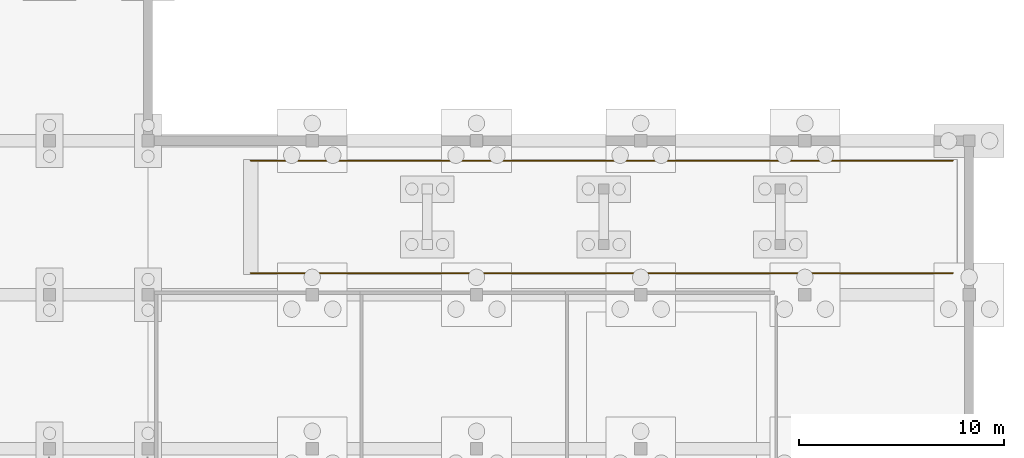
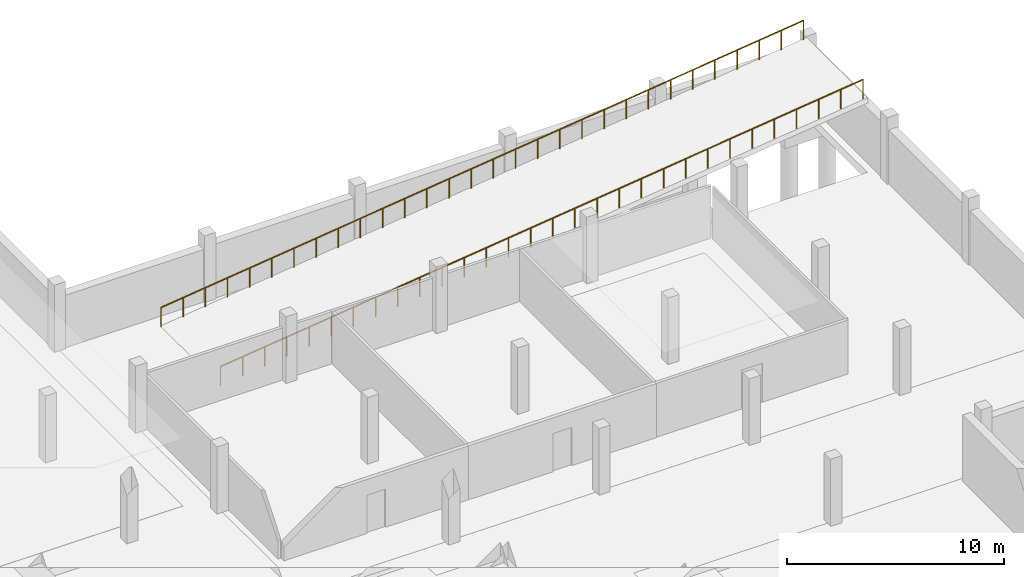
# One storey, part 16 of 17: 2 railings.
"""IFC4 building model written with IfcOpenShell, lengths in metres."""

import ifcopenshell
import ifcopenshell.guid

model = None  # the IFC model being written
_history = None  # IfcOwnerHistory: only IFC2X3 demands one
_inside = {}  # id of a spatial element -> (the spatial element, [elements in it])
_under = {}  # id of a project, library or spatial element -> (it, [spatial elements below it])
_declared = {}  # id of a project -> (the project, [libraries it declares])
_typed = {}  # id of a type object -> (the type object, [elements of that type])
_made_of = {}  # id of a material, layer set ... -> (it, [elements and type objects made of it])


def new_model(schema):
    """Start an empty IFC model of exactly this schema.

    Asked for "IFC4X3", IfcOpenShell would pick the latest addendum, in which some entities
    have other attributes; the version numbers below select the first issue.
    IFC2X3 requires an IfcOwnerHistory on every rooted entity: one is made here for all.
    """
    global model, _history
    if schema == "IFC4X3":
        model = ifcopenshell.file(schema_version=(4, 3, 0, 0))
    else:
        model = ifcopenshell.file(schema=schema)
    _inside.clear()
    _under.clear()
    _declared.clear()
    _typed.clear()
    _made_of.clear()
    _history = None
    if model.schema == "IFC2X3":
        org = make("IfcOrganization", Name="unknown")
        user = make(
            "IfcPersonAndOrganization",
            ThePerson=make("IfcPerson", FamilyName="unknown"),
            TheOrganization=org,
        )
        app = make(
            "IfcApplication",
            ApplicationDeveloper=org,
            Version="unknown",
            ApplicationFullName="unknown",
            ApplicationIdentifier="unknown",
        )
        _history = make(
            "IfcOwnerHistory",
            OwningUser=user,
            OwningApplication=app,
            ChangeAction="ADDED",
            CreationDate=0,
        )
    return model


def make(cls, **values):
    """One entity of the class cls with the attributes given. An attribute that is None is left unset."""
    return model.create_entity(
        cls, **{name: value for name, value in values.items() if value is not None}
    )


def rooted(cls, **values):
    """An entity with a GlobalId (a new one), such as an element, a storey or a relation."""
    return make(cls, GlobalId=ifcopenshell.guid.new(), OwnerHistory=_history, **values)


def si_unit(unit_type, name, prefix=None):
    """IfcSIUnit, for example si_unit("LENGTHUNIT", "METRE", prefix="MILLI")."""
    return make("IfcSIUnit", UnitType=unit_type, Prefix=prefix, Name=name)


def assignment(units):
    """IfcUnitAssignment: the units of a project."""
    return None if units is None else make("IfcUnitAssignment", Units=units)


def point(xyz):
    """IfcCartesianPoint."""
    return None if xyz is None else make("IfcCartesianPoint", Coordinates=xyz)


def direction(xyz):
    """IfcDirection."""
    return None if xyz is None else make("IfcDirection", DirectionRatios=xyz)


def frame(location, z_axis=None, x_axis=None):
    """IfcAxis2Placement3D, a coordinate frame: its origin and axes. An axis left out is left unset."""
    return make(
        "IfcAxis2Placement3D",
        Location=point(location),
        Axis=direction(z_axis),
        RefDirection=direction(x_axis),
    )


def frame_2d(location, x_axis=None):
    """IfcAxis2Placement2D, a coordinate frame in the plane: its origin and x axis."""
    return make(
        "IfcAxis2Placement2D", Location=point(location), RefDirection=direction(x_axis)
    )


def origin():
    """The frame at (0, 0, 0) with its axes left unset."""
    return frame((0.0, 0.0, 0.0))


def origin_2d():
    """The frame at (0, 0) in the plane with its x axis left unset."""
    return frame_2d((0.0, 0.0))


def place(relative_to, where):
    """IfcLocalPlacement: puts the frame where relative to a parent placement (None: the world)."""
    return make(
        "IfcLocalPlacement", PlacementRelTo=relative_to, RelativePlacement=where
    )


def context(
    kind, dimensions, precision=None, world=None, true_north=None, identifier=None
):
    """IfcGeometricRepresentationContext, for example the 3D "Model" context."""
    return make(
        "IfcGeometricRepresentationContext",
        ContextIdentifier=identifier,
        ContextType=kind,
        CoordinateSpaceDimension=dimensions,
        Precision=precision,
        WorldCoordinateSystem=world,
        TrueNorth=true_north,
    )


def subcontext(parent, identifier, kind, view, scale=None):
    """IfcGeometricRepresentationSubContext, for example "Body" below "Model"."""
    return make(
        "IfcGeometricRepresentationSubContext",
        ContextIdentifier=identifier,
        ContextType=kind,
        ParentContext=parent,
        TargetScale=scale,
        TargetView=view,
    )


def project(units=None, contexts=None):
    """IfcProject with its units and contexts."""
    return rooted(
        "IfcProject",
        Name="project",
        RepresentationContexts=contexts,
        UnitsInContext=assignment(units),
    )


def spatial(cls, under=None, at=None, **own):
    """A site, building, storey or space (cls), placed at a placement, below another one or the project."""
    s = rooted(cls, ObjectPlacement=at, **own)
    if under is not None:
        _under.setdefault(under.id(), (under, []))[1].append(s)
    return s


def profile(cls, at=None, kind="AREA", **sizes):
    """A parametric profile (cls). Its sizes go by their IFC names, for example OverallWidth=200.0."""
    return make(cls, ProfileType=kind, Position=at, **sizes)


def circle(**sizes):
    """IfcCircleProfileDef."""
    return profile("IfcCircleProfileDef", **sizes)


def extrude(swept, where, along, depth):
    """IfcExtrudedAreaSolid: the profile swept, set in the frame where, extruded along a direction by depth."""
    return make(
        "IfcExtrudedAreaSolid",
        SweptArea=swept,
        Position=where,
        ExtrudedDirection=direction(along),
        Depth=depth,
    )


def shape(context_of_items, identifier, shape_type, items):
    """IfcShapeRepresentation: the items that make up one representation, for example the "Body"."""
    return make(
        "IfcShapeRepresentation",
        ContextOfItems=context_of_items,
        RepresentationIdentifier=identifier,
        RepresentationType=shape_type,
        Items=items,
    )


def material(Name=None, Category=None):
    """IfcMaterial."""
    return make("IfcMaterial", Name=Name, Category=Category)


def made_of(thing, what):
    """Note that an element or type object is made of a material, layer set ...; save() writes the relation."""
    if what is not None:
        _made_of.setdefault(what.id(), (what, []))[1].append(thing)
    return thing


def type_object(cls, material=None, **own):
    """A type object (cls), such as IfcWallType, which elements share."""
    return made_of(rooted(cls, **own), material)


def element(
    cls,
    number,
    at=None,
    inside=None,
    cuts=None,
    type_object=None,
    material=None,
    context=None,
    identifier="Body",
    shape_type=None,
    held_by="IfcProductDefinitionShape",
    body=None,
    shapes=None,
    **own,
):
    """One element of the class cls, such as IfcWall. Its Tag is "e" and its number.

    at: its placement. inside: the storey or other place that contains it. cuts: it is an
    opening in that element (IfcRelVoidsElement). A single representation is given by context,
    identifier, shape_type and body (its items); several are given by shapes. held_by: the class
    of the entity that holds the representations. save() writes the other relations.
    """
    e = rooted(cls, Tag="e%d" % number, ObjectPlacement=at, **own)
    if body is not None:
        shapes = [shape(context, identifier, shape_type, body)]
    if shapes is not None:
        e.Representation = make(held_by, Representations=shapes)
    if inside is not None:
        _inside.setdefault(inside.id(), (inside, []))[1].append(e)
    if cuts is not None:
        rooted(
            "IfcRelVoidsElement", RelatingBuildingElement=cuts, RelatedOpeningElement=e
        )
    if type_object is not None:
        _typed.setdefault(type_object.id(), (type_object, []))[1].append(e)
    return made_of(e, material)


def aggregate(whole, parts):
    """IfcRelAggregates: a whole, such as a stair, and the parts it consists of."""
    return rooted("IfcRelAggregates", RelatingObject=whole, RelatedObjects=parts)


def save(model, path):
    """Write the relations noted so far, then the file.

    IfcRelAggregates (storeys below a building ...), IfcRelContainedInSpatialStructure (elements
    in a storey), IfcRelDefinesByType, IfcRelAssociatesMaterial and IfcRelDeclares: one each for
    every whole, place, type object, material and project.
    """
    for whole, parts in _under.values():
        aggregate(whole, parts)
    for where, things in _inside.values():
        rooted(
            "IfcRelContainedInSpatialStructure",
            RelatedElements=things,
            RelatingStructure=where,
        )
    for kind, things in _typed.values():
        rooted("IfcRelDefinesByType", RelatedObjects=things, RelatingType=kind)
    for what, things in _made_of.values():
        rooted("IfcRelAssociatesMaterial", RelatedObjects=things, RelatingMaterial=what)
    for by, libraries in _declared.values():
        rooted("IfcRelDeclares", RelatingContext=by, RelatedDefinitions=libraries)
    model.write(path)


model = new_model("IFC4")

# Units and contexts
model_context = context("Model", 3, precision=1e-05, world=origin(), true_north=direction((0.0, 1.0)))
body_context = subcontext(model_context, "Body", "Model", "MODEL_VIEW")
ifc_project = project(units=[si_unit("LENGTHUNIT", "METRE"), si_unit("AREAUNIT", "SQUARE_METRE"), si_unit("VOLUMEUNIT", "CUBIC_METRE"), si_unit("PLANEANGLEUNIT", "RADIAN"), si_unit("MASSUNIT", "GRAM", prefix="KILO")], contexts=[model_context])

# Site, building, storey
site_placement = place(None, origin())
site = spatial("IfcSite", under=ifc_project, at=site_placement, CompositionType="ELEMENT")
building_placement = place(site_placement, origin())
building = spatial("IfcBuilding", under=site, at=building_placement, Name="Mawjan Specialist Oncology Clinic", CompositionType="ELEMENT")
storey_placement = place(building_placement, frame((0.0, 0.0, -4.199951171875)))
storey = spatial("IfcBuildingStorey", under=building, at=storey_placement, Name="B01", CompositionType="ELEMENT", Elevation=-4.199951171875)

# Railings
ifc_material = material(Name="Powder-coated steel stair guard with vertical infill pickets", Category="steel")
railing_type = type_object("IfcRailingType", Name="GR-110", PredefinedType="GUARDRAIL", material=ifc_material)
railing_1_placement = place(storey_placement, frame((113.0, 99.360107421875, 0.0)))
element("IfcRailing", 1, at=railing_1_placement, inside=storey, type_object=railing_type, Name="B01 Vehicle Ramp Flight Guard S", PredefinedType="GUARDRAIL", context=body_context, shape_type="SweptSolid", body=[
    extrude(circle(Radius=0.02392578125, at=origin_2d()), frame((0.0, 0.0, 1.076171875), z_axis=(0.992613735963, 0.0, 0.121317645777), x_axis=(0.0, 1.0, 0.0)), (0.0, 0.0, 1.0), 34.454345703125),
    extrude(circle(Radius=0.02099609375, at=origin_2d()), origin(), (0.0, 0.0, 1.0), 1.052001953125),
    extrude(circle(Radius=0.02099609375, at=origin_2d()), frame((1.17919921875, 0.0, 0.14404296875)), (0.0, 0.0, 1.0), 1.052001953125),
    extrude(circle(Radius=0.02099609375, at=origin_2d()), frame((2.358642578125, 0.0, 0.288330078125)), (0.0, 0.0, 1.0), 1.052001953125),
    extrude(circle(Radius=0.02099609375, at=origin_2d()), frame((3.537841796875, 0.0, 0.432373046875)), (0.0, 0.0, 1.0), 1.052001953125),
    extrude(circle(Radius=0.02099609375, at=origin_2d()), frame((4.71728515625, 0.0, 0.57666015625)), (0.0, 0.0, 1.0), 1.052001953125),
    extrude(circle(Radius=0.02099609375, at=origin_2d()), frame((5.896484375, 0.0, 0.720703125)), (0.0, 0.0, 1.0), 1.052001953125),
    extrude(circle(Radius=0.02099609375, at=origin_2d()), frame((7.075927734375, 0.0, 0.86474609375)), (0.0, 0.0, 1.0), 1.052001953125),
    extrude(circle(Radius=0.02099609375, at=origin_2d()), frame((8.255126953125, 0.0, 1.009033203125)), (0.0, 0.0, 1.0), 1.052001953125),
    extrude(circle(Radius=0.02099609375, at=origin_2d()), frame((9.4345703125, 0.0, 1.153076171875)), (0.0, 0.0, 1.0), 1.052001953125),
    extrude(circle(Radius=0.02099609375, at=origin_2d()), frame((10.61376953125, 0.0, 1.297119140625)), (0.0, 0.0, 1.0), 1.052001953125),
    extrude(circle(Radius=0.02099609375, at=origin_2d()), frame((11.79296875, 0.0, 1.44140625)), (0.0, 0.0, 1.0), 1.052001953125),
    extrude(circle(Radius=0.02099609375, at=origin_2d()), frame((12.972412109375, 0.0, 1.58544921875)), (0.0, 0.0, 1.0), 1.052001953125),
    extrude(circle(Radius=0.02099609375, at=origin_2d()), frame((14.151611328125, 0.0, 1.729736328125)), (0.0, 0.0, 1.0), 1.052001953125),
    extrude(circle(Radius=0.02099609375, at=origin_2d()), frame((15.3310546875, 0.0, 1.873779296875)), (0.0, 0.0, 1.0), 1.052001953125),
    extrude(circle(Radius=0.02099609375, at=origin_2d()), frame((16.51025390625, 0.0, 2.017822265625)), (0.0, 0.0, 1.0), 1.052001953125),
    extrude(circle(Radius=0.02099609375, at=origin_2d()), frame((17.689697265625, 0.0, 2.162109375)), (0.0, 0.0, 1.0), 1.052001953125),
    extrude(circle(Radius=0.02099609375, at=origin_2d()), frame((18.868896484375, 0.0, 2.30615234375)), (0.0, 0.0, 1.0), 1.052001953125),
    extrude(circle(Radius=0.02099609375, at=origin_2d()), frame((20.04833984375, 0.0, 2.4501953125)), (0.0, 0.0, 1.0), 1.052001953125),
    extrude(circle(Radius=0.02099609375, at=origin_2d()), frame((21.2275390625, 0.0, 2.594482421875)), (0.0, 0.0, 1.0), 1.052001953125),
    extrude(circle(Radius=0.02099609375, at=origin_2d()), frame((22.406982421875, 0.0, 2.738525390625)), (0.0, 0.0, 1.0), 1.052001953125),
    extrude(circle(Radius=0.02099609375, at=origin_2d()), frame((23.586181640625, 0.0, 2.8828125)), (0.0, 0.0, 1.0), 1.052001953125),
    extrude(circle(Radius=0.02099609375, at=origin_2d()), frame((24.765380859375, 0.0, 3.02685546875)), (0.0, 0.0, 1.0), 1.052001953125),
    extrude(circle(Radius=0.02099609375, at=origin_2d()), frame((25.94482421875, 0.0, 3.1708984375)), (0.0, 0.0, 1.0), 1.052001953125),
    extrude(circle(Radius=0.02099609375, at=origin_2d()), frame((27.1240234375, 0.0, 3.315185546875)), (0.0, 0.0, 1.0), 1.052001953125),
    extrude(circle(Radius=0.02099609375, at=origin_2d()), frame((28.303466796875, 0.0, 3.459228515625)), (0.0, 0.0, 1.0), 1.052001953125),
    extrude(circle(Radius=0.02099609375, at=origin_2d()), frame((29.482666015625, 0.0, 3.603271484375)), (0.0, 0.0, 1.0), 1.052001953125),
    extrude(circle(Radius=0.02099609375, at=origin_2d()), frame((30.662109375, 0.0, 3.74755859375)), (0.0, 0.0, 1.0), 1.052001953125),
    extrude(circle(Radius=0.02099609375, at=origin_2d()), frame((31.84130859375, 0.0, 3.8916015625)), (0.0, 0.0, 1.0), 1.052001953125),
    extrude(circle(Radius=0.02099609375, at=origin_2d()), frame((33.020751953125, 0.0, 4.035888671875)), (0.0, 0.0, 1.0), 1.052001953125),
    extrude(circle(Radius=0.02099609375, at=origin_2d()), frame((34.199951171875, 0.0, 4.179931640625)), (0.0, 0.0, 1.0), 1.052001953125),
])
railing_2_placement = place(storey_placement, frame((113.0, 104.840087890625, 0.0)))
element("IfcRailing", 2, at=railing_2_placement, inside=storey, type_object=railing_type, Name="B01 Vehicle Ramp Flight Guard N", PredefinedType="GUARDRAIL", context=body_context, shape_type="SweptSolid", body=[
    extrude(circle(Radius=0.02392578125, at=origin_2d()), frame((0.0, 0.0, 1.076171875), z_axis=(0.992613735963, 0.0, 0.121317645777), x_axis=(0.0, 1.0, 0.0)), (0.0, 0.0, 1.0), 34.454345703125),
    extrude(circle(Radius=0.02099609375, at=origin_2d()), origin(), (0.0, 0.0, 1.0), 1.052001953125),
    extrude(circle(Radius=0.02099609375, at=origin_2d()), frame((1.17919921875, 0.0, 0.14404296875)), (0.0, 0.0, 1.0), 1.052001953125),
    extrude(circle(Radius=0.02099609375, at=origin_2d()), frame((2.358642578125, 0.0, 0.288330078125)), (0.0, 0.0, 1.0), 1.052001953125),
    extrude(circle(Radius=0.02099609375, at=origin_2d()), frame((3.537841796875, 0.0, 0.432373046875)), (0.0, 0.0, 1.0), 1.052001953125),
    extrude(circle(Radius=0.02099609375, at=origin_2d()), frame((4.71728515625, 0.0, 0.57666015625)), (0.0, 0.0, 1.0), 1.052001953125),
    extrude(circle(Radius=0.02099609375, at=origin_2d()), frame((5.896484375, 0.0, 0.720703125)), (0.0, 0.0, 1.0), 1.052001953125),
    extrude(circle(Radius=0.02099609375, at=origin_2d()), frame((7.075927734375, 0.0, 0.86474609375)), (0.0, 0.0, 1.0), 1.052001953125),
    extrude(circle(Radius=0.02099609375, at=origin_2d()), frame((8.255126953125, 0.0, 1.009033203125)), (0.0, 0.0, 1.0), 1.052001953125),
    extrude(circle(Radius=0.02099609375, at=origin_2d()), frame((9.4345703125, 0.0, 1.153076171875)), (0.0, 0.0, 1.0), 1.052001953125),
    extrude(circle(Radius=0.02099609375, at=origin_2d()), frame((10.61376953125, 0.0, 1.297119140625)), (0.0, 0.0, 1.0), 1.052001953125),
    extrude(circle(Radius=0.02099609375, at=origin_2d()), frame((11.79296875, 0.0, 1.44140625)), (0.0, 0.0, 1.0), 1.052001953125),
    extrude(circle(Radius=0.02099609375, at=origin_2d()), frame((12.972412109375, 0.0, 1.58544921875)), (0.0, 0.0, 1.0), 1.052001953125),
    extrude(circle(Radius=0.02099609375, at=origin_2d()), frame((14.151611328125, 0.0, 1.729736328125)), (0.0, 0.0, 1.0), 1.052001953125),
    extrude(circle(Radius=0.02099609375, at=origin_2d()), frame((15.3310546875, 0.0, 1.873779296875)), (0.0, 0.0, 1.0), 1.052001953125),
    extrude(circle(Radius=0.02099609375, at=origin_2d()), frame((16.51025390625, 0.0, 2.017822265625)), (0.0, 0.0, 1.0), 1.052001953125),
    extrude(circle(Radius=0.02099609375, at=origin_2d()), frame((17.689697265625, 0.0, 2.162109375)), (0.0, 0.0, 1.0), 1.052001953125),
    extrude(circle(Radius=0.02099609375, at=origin_2d()), frame((18.868896484375, 0.0, 2.30615234375)), (0.0, 0.0, 1.0), 1.052001953125),
    extrude(circle(Radius=0.02099609375, at=origin_2d()), frame((20.04833984375, 0.0, 2.4501953125)), (0.0, 0.0, 1.0), 1.052001953125),
    extrude(circle(Radius=0.02099609375, at=origin_2d()), frame((21.2275390625, 0.0, 2.594482421875)), (0.0, 0.0, 1.0), 1.052001953125),
    extrude(circle(Radius=0.02099609375, at=origin_2d()), frame((22.406982421875, 0.0, 2.738525390625)), (0.0, 0.0, 1.0), 1.052001953125),
    extrude(circle(Radius=0.02099609375, at=origin_2d()), frame((23.586181640625, 0.0, 2.8828125)), (0.0, 0.0, 1.0), 1.052001953125),
    extrude(circle(Radius=0.02099609375, at=origin_2d()), frame((24.765380859375, 0.0, 3.02685546875)), (0.0, 0.0, 1.0), 1.052001953125),
    extrude(circle(Radius=0.02099609375, at=origin_2d()), frame((25.94482421875, 0.0, 3.1708984375)), (0.0, 0.0, 1.0), 1.052001953125),
    extrude(circle(Radius=0.02099609375, at=origin_2d()), frame((27.1240234375, 0.0, 3.315185546875)), (0.0, 0.0, 1.0), 1.052001953125),
    extrude(circle(Radius=0.02099609375, at=origin_2d()), frame((28.303466796875, 0.0, 3.459228515625)), (0.0, 0.0, 1.0), 1.052001953125),
    extrude(circle(Radius=0.02099609375, at=origin_2d()), frame((29.482666015625, 0.0, 3.603271484375)), (0.0, 0.0, 1.0), 1.052001953125),
    extrude(circle(Radius=0.02099609375, at=origin_2d()), frame((30.662109375, 0.0, 3.74755859375)), (0.0, 0.0, 1.0), 1.052001953125),
    extrude(circle(Radius=0.02099609375, at=origin_2d()), frame((31.84130859375, 0.0, 3.8916015625)), (0.0, 0.0, 1.0), 1.052001953125),
    extrude(circle(Radius=0.02099609375, at=origin_2d()), frame((33.020751953125, 0.0, 4.035888671875)), (0.0, 0.0, 1.0), 1.052001953125),
    extrude(circle(Radius=0.02099609375, at=origin_2d()), frame((34.199951171875, 0.0, 4.179931640625)), (0.0, 0.0, 1.0), 1.052001953125),
])

save(model, "model.ifc")
